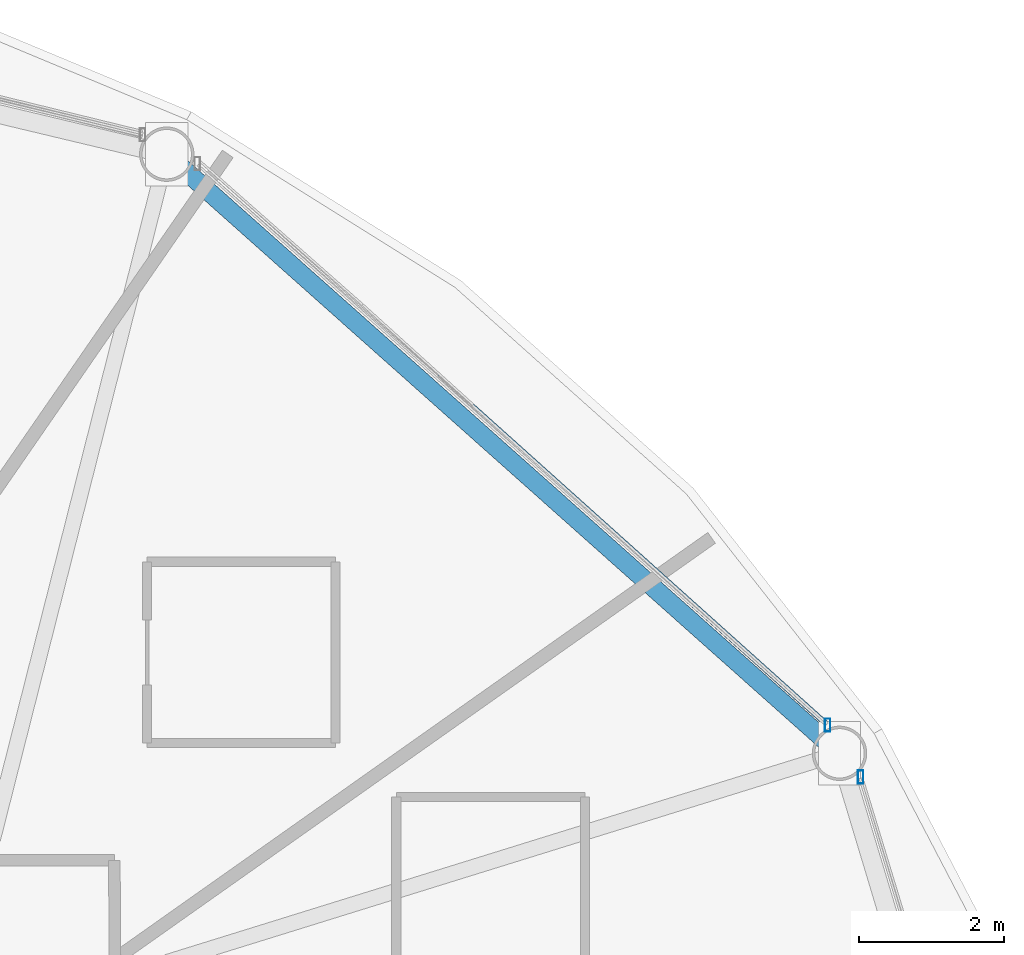
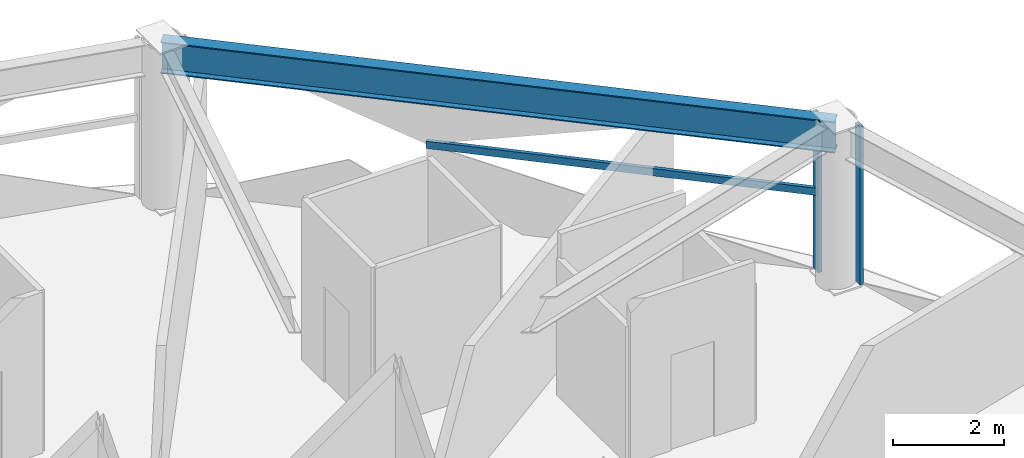
# One storey, part 20 of 31: 3 members, 1 beam, 2 elements without a shape of their own.
"""IFC4 building model written with IfcOpenShell, lengths in metres."""

from ifc_helpers import new_model, si_unit, direction, frame, origin, origin_2d, place, context, subcontext, project, spatial, hollow_rectangle, i_section, extrude, material, layer, layer_set, material_profile, profile_set, type_object, element, aggregate, save


model = new_model("IFC4")

# Units and contexts
model_context = context("Model", 3, precision=1e-05, world=origin(), true_north=direction((0.0, 1.0)))
body_context = subcontext(model_context, "Body", "Model", "MODEL_VIEW")
ifc_project = project(units=[si_unit("LENGTHUNIT", "METRE"), si_unit("AREAUNIT", "SQUARE_METRE"), si_unit("VOLUMEUNIT", "CUBIC_METRE"), si_unit("PLANEANGLEUNIT", "RADIAN"), si_unit("MASSUNIT", "GRAM", prefix="KILO")], contexts=[model_context])

# Site, building, storey
site_placement = place(None, origin())
site = spatial("IfcSite", under=ifc_project, at=site_placement, CompositionType="ELEMENT")
building_placement = place(site_placement, origin())
building = spatial("IfcBuilding", under=site, at=building_placement, Name="Vantalir Tower", CompositionType="ELEMENT")
storey_placement = place(building_placement, frame((0.0, 0.0, 115.949951171875)))
storey = spatial("IfcBuildingStorey", under=building, at=storey_placement, Name="L28", CompositionType="ELEMENT", Elevation=115.949951171875)

# Beam
ifc_material_1 = material(Name="Steel S460", Category="steel")
ifc_material_profile_1 = material_profile(ifc_material_1, i_section(OverallWidth=0.256103515625, OverallDepth=0.693115234375, WebThickness=0.014404296875, FlangeThickness=0.023681640625, at=origin_2d()), Name="Steel S460")
ifc_profile_set_1 = profile_set([ifc_material_profile_1], Name="Steel S460")
beam_type = type_object("IfcBeamType", Name="BM-RG-686x254", PredefinedType="USERDEFINED", material=ifc_profile_set_1)
beam_placement = place(storey_placement, frame((53.445068359375, 36.282958984375, 3.22314453125), z_axis=(-0.746791899704, 0.665057785862, 0.0), x_axis=(-0.665057785862, -0.746791899704, 0.0)))
element("IfcBeam", 1, at=beam_placement, inside=storey, type_object=beam_type, Name="L28 Circumferential Ring Girder 02", ObjectType="GIRDER", PredefinedType="USERDEFINED", context=body_context, shape_type="SweptSolid", body=[
    extrude(i_section(OverallWidth=0.256103515625, OverallDepth=0.693115234375, WebThickness=0.014404296875, FlangeThickness=0.023681640625, at=origin_2d()), origin(), (0.0, 0.0, 1.0), 12.419921875),
])

# Curtain wall, member
ifc_material_2 = material(Name="Champagne-silver PVDF aluminium and double-silver Low-E glass", Category="aluminium")
ifc_layer = layer(ifc_material_2, 0.199951171875)
ifc_layer_set = layer_set([ifc_layer], Name="Champagne-silver PVDF aluminium and double-silver Low-E glass")
curtain_wall_type = type_object("IfcCurtainWallType", Name="CW-DIAMOND-Z2", PredefinedType="USERDEFINED", material=ifc_layer_set)
curtain_wall_1_placement = place(storey_placement, origin())
curtain_wall_1 = element("IfcCurtainWall", 2, at=curtain_wall_1_placement, inside=storey, type_object=curtain_wall_type, Name="L28 Quilted Pyramid-Diamond Curtain Wall S01", ObjectType="UNITISED CURTAIN WALL", PredefinedType="USERDEFINED")
ifc_material_3 = material(Name="Champagne-silver PVDF aluminium 6063-T6", Category="aluminium")
ifc_material_profile_2 = material_profile(ifc_material_3, hollow_rectangle(XDim=0.074951171875, YDim=0.179931640625, WallThickness=0.00390625, at=origin_2d()), Name="Champagne-silver PVDF aluminium 6063-T6")
ifc_profile_set_2 = profile_set([ifc_material_profile_2], Name="Champagne-silver PVDF aluminium 6063-T6")
member_type_1 = type_object("IfcMemberType", Name="CWM-180x75", PredefinedType="MULLION", material=ifc_profile_set_2)
member_1_placement = place(storey_placement, frame((53.737060546875, 35.95703125, 0.045166015625), z_axis=(0.0, 0.0, 1.0), x_axis=(1.0, 0.0, 0.0)))
member_1 = element("IfcMember", 3, at=member_1_placement, type_object=member_type_1, Name="CW-L28-S01 Mullion 2", PredefinedType="MULLION", context=body_context, shape_type="SweptSolid", body=[
    extrude(hollow_rectangle(XDim=0.074951171875, YDim=0.179931640625, WallThickness=0.00390625, at=origin_2d()), origin(), (0.0, 0.0, 1.0), 3.47998046875),
])
aggregate(curtain_wall_1, [member_1])

# Curtain wall, members
curtain_wall_2_placement = place(storey_placement, origin())
curtain_wall_2 = element("IfcCurtainWall", 4, at=curtain_wall_2_placement, inside=storey, type_object=curtain_wall_type, Name="L28 Quilted Pyramid-Diamond Curtain Wall S02", ObjectType="UNITISED CURTAIN WALL", PredefinedType="USERDEFINED")
member_2_placement = place(storey_placement, frame((53.281982421875, 36.6708984375, 0.045166015625), z_axis=(0.0, 0.0, 1.0), x_axis=(1.0, 0.0, 0.0)))
member_2 = element("IfcMember", 5, at=member_2_placement, type_object=member_type_1, Name="CW-L28-S02 Mullion 1", PredefinedType="MULLION", context=body_context, shape_type="SweptSolid", body=[
    extrude(hollow_rectangle(XDim=0.074951171875, YDim=0.179931640625, WallThickness=0.00390625, at=origin_2d()), origin(), (0.0, 0.0, 1.0), 3.47998046875),
])
ifc_material_profile_3 = material_profile(ifc_material_3, hollow_rectangle(XDim=0.074951171875, YDim=0.159912109375, WallThickness=0.00390625, at=origin_2d()), Name="Champagne-silver PVDF aluminium 6063-T6")
ifc_profile_set_3 = profile_set([ifc_material_profile_3], Name="Champagne-silver PVDF aluminium 6063-T6")
member_type_2 = type_object("IfcMemberType", Name="CWT-160x75", PredefinedType="USERDEFINED", material=ifc_profile_set_3)
member_3_placement = place(storey_placement, frame((53.281982421875, 36.6708984375, 1.78515625), z_axis=(-0.744311290692, 0.667832840273, 0.0), x_axis=(-0.667832840273, -0.744311290692, 0.0)))
member_3 = element("IfcMember", 6, at=member_3_placement, type_object=member_type_2, Name="CW-L28-S02 Pyramid Fold Ridge Transom", ObjectType="TRANSOM", PredefinedType="USERDEFINED", context=body_context, shape_type="SweptSolid", body=[
    extrude(hollow_rectangle(XDim=0.074951171875, YDim=0.159912109375, WallThickness=0.00390625, at=origin_2d()), origin(), (0.0, 0.0, 1.0), 7.214599609375),
])
aggregate(curtain_wall_2, [member_2, member_3])

save(model, "model.ifc")
